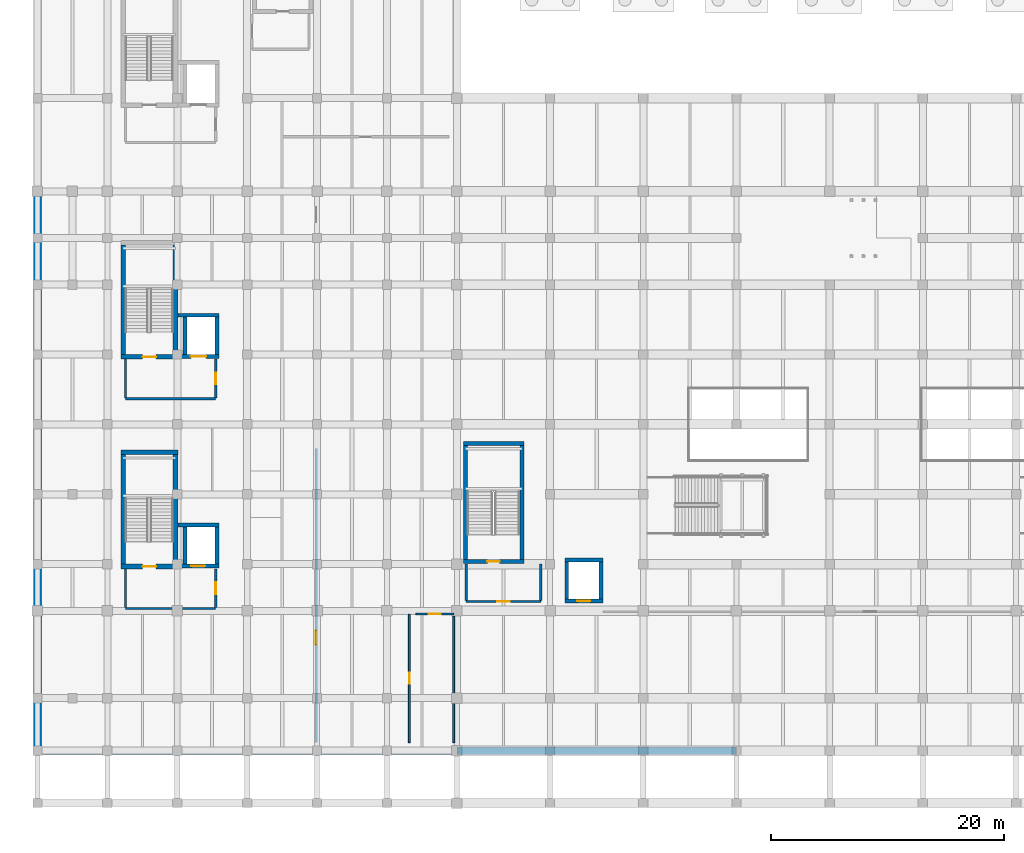
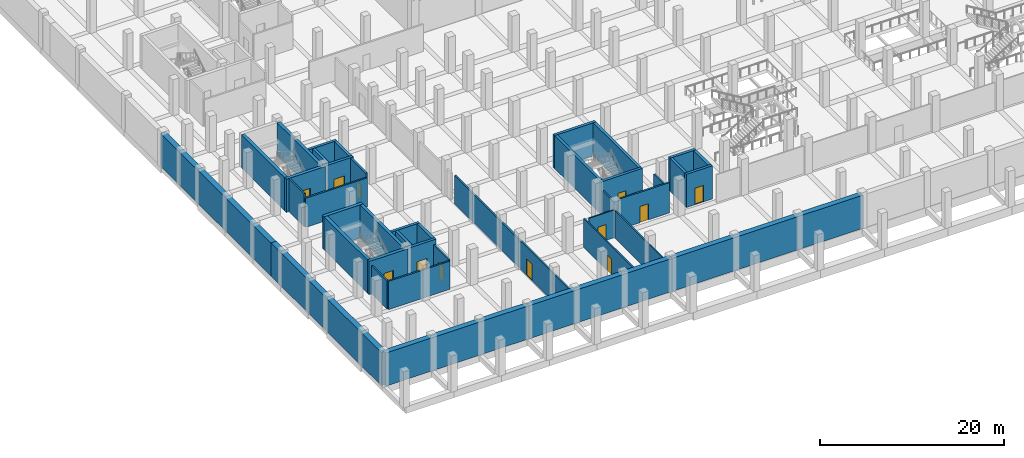
# One storey, part 20 of 36: 41 walls, 12 doors, 12 openings.
"""IFC4 building model written with IfcOpenShell, lengths in metres."""

from ifc_helpers import new_model, si_unit, direction, frame, frame_2d, origin, place, context, subcontext, project, spatial, rectangle, extrude, material, layer, layer_set, type_object, element, fill, save


model = new_model("IFC4")

# Units and contexts
model_context = context("Model", 3, precision=1e-05, world=origin(), true_north=direction((0.0, 1.0)))
body_context = subcontext(model_context, "Body", "Model", "MODEL_VIEW")
ifc_project = project(units=[si_unit("LENGTHUNIT", "METRE"), si_unit("AREAUNIT", "SQUARE_METRE"), si_unit("VOLUMEUNIT", "CUBIC_METRE"), si_unit("PLANEANGLEUNIT", "RADIAN"), si_unit("MASSUNIT", "GRAM", prefix="KILO")], contexts=[model_context])

# Site, building, storey
site_placement = place(None, origin())
site = spatial("IfcSite", under=ifc_project, at=site_placement, CompositionType="ELEMENT")
building_placement = place(site_placement, origin())
building = spatial("IfcBuilding", under=site, at=building_placement, Name="Verrall Gate Interchange", CompositionType="ELEMENT")
storey_placement = place(building_placement, frame((0.0, 0.0, -4.800048828125)))
storey = spatial("IfcBuildingStorey", under=building, at=storey_placement, Name="B1", CompositionType="ELEMENT", Elevation=-4.800048828125)

# Walls
ifc_material_1 = material(Name="Fire-Rated Type X Gypsum Stud Partition Assembly (60 min)", Category="gypsum")
ifc_layer_1 = layer(ifc_material_1, 0.199951171875)
ifc_layer_set_1 = layer_set([ifc_layer_1], Name="Fire-Rated Type X Gypsum Stud Partition Assembly (60 min)")
wall_type_1 = type_object("IfcWallType", Name="IW-01 Interior Partition Wall 200", PredefinedType="PARTITIONING", material=ifc_layer_set_1)
wall_1_placement = place(storey_placement, frame((7.550048828125, 12.199951171875, 0.0), z_axis=(0.0, 0.0, 1.0), x_axis=(1.0, 0.0, 0.0)))
element("IfcWall", 1, at=wall_1_placement, inside=storey, type_object=wall_type_1, Name="B1 Core C1 Lobby South Rated Wall", PredefinedType="PARTITIONING", context=body_context, shape_type="SweptSolid", body=[
    extrude(rectangle(XDim=7.75, YDim=0.199951171875, at=frame_2d((3.875, 0.0))), origin(), (0.0, 0.0, 1.0), 3.740966796875),
])
wall_2_placement = place(storey_placement, frame((7.550048828125, 15.60009765625, 0.0), z_axis=(0.0, 0.0, 1.0), x_axis=(0.0, -1.0, 0.0)))
element("IfcWall", 2, at=wall_2_placement, inside=storey, type_object=wall_type_1, Name="B1 Core C1 Lobby West Rated Wall", PredefinedType="PARTITIONING", context=body_context, shape_type="SweptSolid", body=[
    extrude(rectangle(XDim=3.320068359375, YDim=0.199951171875, at=frame_2d((1.66015625, 0.0))), origin(), (0.0, 0.0, 1.0), 3.740966796875),
])

# Wall, opening, door
wall_3_placement = place(storey_placement, frame((15.300048828125, 12.280029296875, 0.0), z_axis=(0.0, 0.0, 1.0), x_axis=(0.0, 1.0, 0.0)))
wall_3 = element("IfcWall", 3, at=wall_3_placement, inside=storey, type_object=wall_type_1, Name="B1 Core C1 Lobby East Rated Wall", PredefinedType="PARTITIONING", context=body_context, shape_type="SweptSolid", body=[
    extrude(rectangle(XDim=3.320068359375, YDim=0.199951171875, at=frame_2d((1.66015625, 0.0))), origin(), (0.0, 0.0, 1.0), 3.817138671875),
])
opening_1_placement = place(wall_3_placement, frame((1.159912109375, 0.0, 0.0)))
opening_1 = element("IfcOpeningElement", 4, at=opening_1_placement, cuts=wall_3, Name="Opening LBD011", PredefinedType="OPENING", context=body_context, shape_type="SweptSolid", body=[
    extrude(rectangle(XDim=1.0, YDim=2.14990234375, at=frame_2d((0.5, 1.074951171875))), frame((0.0, 0.11474609375, 0.0), z_axis=(0.0, -1.0, 0.0), x_axis=(1.0, 0.0, 0.0)), (0.0, 0.0, 1.0), 0.229736328125),
])
ifc_material_2 = material(Name="Hollow-Metal Fire-Rated Door Assembly", Category="metal")
door_type_1 = type_object("IfcDoorType", Name="ID-05 Interior Swing Door 1000x2150", OperationType="NOTDEFINED", PredefinedType="DOOR", material=ifc_material_2)
door_1_placement = place(opening_1_placement, origin())
door_1 = element("IfcDoor", 5, at=door_1_placement, inside=storey, type_object=door_type_1, Name="B1 Core C1 Lobby Fire Door LBD011", OperationType="SINGLE_SWING_LEFT", OverallHeight=2.14990234375, OverallWidth=1.0, PredefinedType="DOOR", context=body_context, shape_type="SweptSolid", body=[
    extrude(rectangle(XDim=1.0, YDim=2.14990234375, at=frame_2d((0.5, 1.074951171875))), frame((0.0, 0.02490234375, 0.0), z_axis=(0.0, -1.0, 0.0), x_axis=(1.0, 0.0, 0.0)), (0.0, 0.0, 1.0), 0.050048828125),
])
fill(opening_1, door_1)

# Walls
wall_4_placement = place(storey_placement, frame((7.550048828125, 30.199951171875, 0.0), z_axis=(0.0, 0.0, 1.0), x_axis=(1.0, 0.0, 0.0)))
element("IfcWall", 6, at=wall_4_placement, inside=storey, type_object=wall_type_1, Name="B1 Core C2 Lobby South Rated Wall", PredefinedType="PARTITIONING", context=body_context, shape_type="SweptSolid", body=[
    extrude(rectangle(XDim=7.75, YDim=0.199951171875, at=frame_2d((3.875, 0.0))), origin(), (0.0, 0.0, 1.0), 3.8701171875),
])
wall_5_placement = place(storey_placement, frame((7.550048828125, 33.60009765625, 0.0), z_axis=(0.0, 0.0, 1.0), x_axis=(0.0, -1.0, 0.0)))
element("IfcWall", 7, at=wall_5_placement, inside=storey, type_object=wall_type_1, Name="B1 Core C2 Lobby West Rated Wall", PredefinedType="PARTITIONING", context=body_context, shape_type="SweptSolid", body=[
    extrude(rectangle(XDim=3.320068359375, YDim=0.199951171875, at=frame_2d((1.66015625, 0.0))), origin(), (0.0, 0.0, 1.0), 4.400146484375),
])

# Wall, opening, door
wall_6_placement = place(storey_placement, frame((15.300048828125, 30.280029296875, 0.0), z_axis=(0.0, 0.0, 1.0), x_axis=(0.0, 1.0, 0.0)))
wall_6 = element("IfcWall", 8, at=wall_6_placement, inside=storey, type_object=wall_type_1, Name="B1 Core C2 Lobby East Rated Wall", PredefinedType="PARTITIONING", context=body_context, shape_type="SweptSolid", body=[
    extrude(rectangle(XDim=3.320068359375, YDim=0.199951171875, at=frame_2d((1.66015625, 0.0))), origin(), (0.0, 0.0, 1.0), 4.400146484375),
])
opening_2_placement = place(wall_6_placement, frame((1.159912109375, 0.0, 0.0)))
opening_2 = element("IfcOpeningElement", 9, at=opening_2_placement, cuts=wall_6, Name="Opening LBD029", PredefinedType="OPENING", context=body_context, shape_type="SweptSolid", body=[
    extrude(rectangle(XDim=1.0, YDim=2.14990234375, at=frame_2d((0.5, 1.074951171875))), frame((0.0, 0.11474609375, 0.0), z_axis=(0.0, -1.0, 0.0), x_axis=(1.0, 0.0, 0.0)), (0.0, 0.0, 1.0), 0.229736328125),
])
door_2_placement = place(opening_2_placement, origin())
door_2 = element("IfcDoor", 10, at=door_2_placement, inside=storey, type_object=door_type_1, Name="B1 Core C2 Lobby Fire Door LBD029", OperationType="SINGLE_SWING_LEFT", OverallHeight=2.14990234375, OverallWidth=1.0, PredefinedType="DOOR", context=body_context, shape_type="SweptSolid", body=[
    extrude(rectangle(XDim=1.0, YDim=2.14990234375, at=frame_2d((0.5, 1.074951171875))), frame((0.0, 0.02490234375, 0.0), z_axis=(0.0, -1.0, 0.0), x_axis=(1.0, 0.0, 0.0)), (0.0, 0.0, 1.0), 0.050048828125),
])
fill(opening_2, door_2)

wall_7_placement = place(storey_placement, frame((36.800048828125, 12.800048828125, 0.0), z_axis=(0.0, 0.0, 1.0), x_axis=(1.0, 0.0, 0.0)))
wall_7 = element("IfcWall", 11, at=wall_7_placement, inside=storey, type_object=wall_type_1, Name="B1 Core C5 Lobby South Rated Wall", PredefinedType="PARTITIONING", context=body_context, shape_type="SweptSolid", body=[
    extrude(rectangle(XDim=6.39990234375, YDim=0.199951171875, at=frame_2d((3.199951171875, 0.0))), origin(), (0.0, 0.0, 1.0), 4.032958984375),
])
opening_3_placement = place(wall_7_placement, frame((2.64990234375, 0.0, 0.0)))
opening_3 = element("IfcOpeningElement", 12, at=opening_3_placement, cuts=wall_7, Name="Opening LBD068", PredefinedType="OPENING", context=body_context, shape_type="SweptSolid", body=[
    extrude(rectangle(XDim=1.10009765625, YDim=2.14990234375, at=frame_2d((0.550048828125, 1.074951171875))), frame((0.0, 0.11474609375, 0.0), z_axis=(0.0, -1.0, 0.0), x_axis=(1.0, 0.0, 0.0)), (0.0, 0.0, 1.0), 0.229736328125),
])
ifc_material_3 = material(Name="Hollow-Metal Fire-Rated Door Assembly", Category="metal")
door_type_2 = type_object("IfcDoorType", Name="ID-06 Interior Swing Door 1100x2150", OperationType="NOTDEFINED", PredefinedType="DOOR", material=ifc_material_3)
door_3_placement = place(opening_3_placement, origin())
door_3 = element("IfcDoor", 13, at=door_3_placement, inside=storey, type_object=door_type_2, Name="B1 Core C5 Lobby Fire Door LBD068", OperationType="SINGLE_SWING_RIGHT", OverallHeight=2.14990234375, OverallWidth=1.10009765625, PredefinedType="DOOR", context=body_context, shape_type="SweptSolid", body=[
    extrude(rectangle(XDim=1.10009765625, YDim=2.14990234375, at=frame_2d((0.550048828125, 1.074951171875))), frame((0.0, 0.02490234375, 0.0), z_axis=(0.0, -1.0, 0.0), x_axis=(1.0, 0.0, 0.0)), (0.0, 0.0, 1.0), 0.050048828125),
])
fill(opening_3, door_3)

# Walls
for number, where, z_axis, x_axis, name in (
    (14, (36.800048828125, 16.0, 0.0), (0.0, 0.0, 1.0), (0.0, -1.0, 0.0), "B1 Core C5 Lobby West Rated Wall"),
    (15, (43.199951171875, 12.8798828125, 0.0), (0.0, 0.0, 1.0), (0.0, 1.0, 0.0), "B1 Core C5 Lobby East Rated Wall"),
):
    element("IfcWall", number, at=place(storey_placement, frame(where, z_axis=z_axis, x_axis=x_axis)), inside=storey, type_object=wall_type_1, Name=name, PredefinedType="PARTITIONING", context=body_context, shape_type="SweptSolid", body=[
        extrude(rectangle(XDim=3.1201171875, YDim=0.199951171875, at=frame_2d((1.56005859375, 0.0))), origin(), (0.0, 0.0, 1.0), 3.179931640625),
    ])

# Wall, opening, door
wall_8_placement = place(storey_placement, frame((23.919921875, 25.919921875, 0.0), z_axis=(0.0, 0.0, 1.0), x_axis=(0.0, -1.0, 0.0)))
wall_8 = element("IfcWall", 16, at=wall_8_placement, inside=storey, type_object=wall_type_1, Name="B1 Metro Traction Power Substation Partition 011", PredefinedType="PARTITIONING", context=body_context, shape_type="SweptSolid", body=[
    extrude(rectangle(XDim=25.239990234375, YDim=0.199951171875, at=frame_2d((12.6201171875, 0.0))), origin(), (0.0, 0.0, 1.0), 3.740966796875),
])
opening_4_placement = place(wall_8_placement, frame((15.613037109375, 0.0, 0.0)))
opening_4 = element("IfcOpeningElement", 17, at=opening_4_placement, cuts=wall_8, Name="Opening D011", PredefinedType="OPENING", context=body_context, shape_type="SweptSolid", body=[
    extrude(rectangle(XDim=1.219970703125, YDim=2.199951171875, at=frame_2d((0.60986328125, 1.10009765625))), frame((0.0, 0.11474609375, 0.0), z_axis=(0.0, -1.0, 0.0), x_axis=(1.0, 0.0, 0.0)), (0.0, 0.0, 1.0), 0.229736328125),
])
ifc_material_4 = material(Name="Hollow-Metal Fire-Rated Door Assembly", Category="metal")
door_type_3 = type_object("IfcDoorType", Name="ID-07 Interior Swing Door 1220x2200", OperationType="NOTDEFINED", PredefinedType="DOOR", material=ifc_material_4)
door_4_placement = place(opening_4_placement, origin())
door_4 = element("IfcDoor", 18, at=door_4_placement, inside=storey, type_object=door_type_3, Name="B1 Metro Traction Power Substation Door D011", OperationType="SINGLE_SWING_RIGHT", OverallHeight=2.199951171875, OverallWidth=1.219970703125, PredefinedType="DOOR", context=body_context, shape_type="SweptSolid", body=[
    extrude(rectangle(XDim=1.219970703125, YDim=2.199951171875, at=frame_2d((0.60986328125, 1.10009765625))), frame((0.0, 0.02490234375, 0.0), z_axis=(0.0, -1.0, 0.0), x_axis=(1.0, 0.0, 0.0)), (0.0, 0.0, 1.0), 0.050048828125),
])
fill(opening_4, door_4)

ifc_material_5 = material(Name="Fire-Rated Type X Gypsum Stud Partition Assembly (60 min)", Category="gypsum")
ifc_layer_2 = layer(ifc_material_5, 0.159912109375)
ifc_layer_set_2 = layer_set([ifc_layer_2], Name="Fire-Rated Type X Gypsum Stud Partition Assembly (60 min)")
wall_type_2 = type_object("IfcWallType", Name="IW-02 Interior Partition Wall 160", PredefinedType="PARTITIONING", material=ifc_layer_set_2)
wall_9_placement = place(storey_placement, frame((31.919921875, 11.719970703125, 0.0), z_axis=(0.0, 0.0, 1.0), x_axis=(0.0, -1.0, 0.0)))
wall_9 = element("IfcWall", 19, at=wall_9_placement, inside=storey, type_object=wall_type_2, Name="B1 Concourse Public Washroom Partition 016", PredefinedType="PARTITIONING", context=body_context, shape_type="SweptSolid", body=[
    extrude(rectangle(XDim=11.0400390625, YDim=0.159912109375, at=frame_2d((5.52001953125, 0.0))), origin(), (0.0, 0.0, 1.0), 3.817138671875),
])
opening_5_placement = place(wall_9_placement, frame((5.0400390625, 0.0, 0.0)))
opening_5 = element("IfcOpeningElement", 20, at=opening_5_placement, cuts=wall_9, Name="Opening D016", PredefinedType="OPENING", context=body_context, shape_type="SweptSolid", body=[
    extrude(rectangle(XDim=0.9599609375, YDim=2.10009765625, at=frame_2d((0.47998046875, 1.050048828125))), frame((0.0, 0.0947265625, 0.0), z_axis=(0.0, -1.0, 0.0), x_axis=(1.0, 0.0, 0.0)), (0.0, 0.0, 1.0), 0.189697265625),
])
ifc_material_6 = material(Name="Architectural Solid-Core Birch Acoustic Door Assembly", Category="wood")
door_type_4 = type_object("IfcDoorType", Name="ID-11 Interior Swing Door 960x2100", OperationType="NOTDEFINED", PredefinedType="DOOR", material=ifc_material_6)
door_5_placement = place(opening_5_placement, origin())
door_5 = element("IfcDoor", 21, at=door_5_placement, inside=storey, type_object=door_type_4, Name="B1 Concourse Public Washroom Door D016", OperationType="SINGLE_SWING_LEFT", OverallHeight=2.10009765625, OverallWidth=0.9599609375, PredefinedType="DOOR", context=body_context, shape_type="SweptSolid", body=[
    extrude(rectangle(XDim=0.9599609375, YDim=2.10009765625, at=frame_2d((0.47998046875, 1.050048828125))), frame((0.0, 0.02490234375, 0.0), z_axis=(0.0, -1.0, 0.0), x_axis=(1.0, 0.0, 0.0)), (0.0, 0.0, 1.0), 0.050048828125),
])
fill(opening_5, door_5)

wall_10_placement = place(storey_placement, frame((32.47998046875, 11.719970703125, 0.0), z_axis=(0.0, 0.0, 1.0), x_axis=(1.0, 0.0, 0.0)))
wall_10 = element("IfcWall", 22, at=wall_10_placement, inside=storey, type_object=wall_type_2, Name="B1 Concourse Accessible Washroom Partition 017", PredefinedType="PARTITIONING", context=body_context, shape_type="SweptSolid", body=[
    extrude(rectangle(XDim=3.239990234375, YDim=0.159912109375, at=frame_2d((1.6201171875, 0.0))), origin(), (0.0, 0.0, 1.0), 3.6689453125),
])
opening_6_placement = place(wall_10_placement, frame((1.110107421875, 0.0, 0.0)))
opening_6 = element("IfcOpeningElement", 23, at=opening_6_placement, cuts=wall_10, Name="Opening D017", PredefinedType="OPENING", context=body_context, shape_type="SweptSolid", body=[
    extrude(rectangle(XDim=1.02001953125, YDim=2.10009765625, at=frame_2d((0.510009765625, 1.050048828125))), frame((0.0, 0.0947265625, 0.0), z_axis=(0.0, -1.0, 0.0), x_axis=(1.0, 0.0, 0.0)), (0.0, 0.0, 1.0), 0.189697265625),
])
ifc_material_7 = material(Name="Architectural Solid-Core Birch Acoustic Door Assembly", Category="wood")
door_type_5 = type_object("IfcDoorType", Name="ID-12 Interior Swing Door 1020x2100", OperationType="NOTDEFINED", PredefinedType="DOOR", material=ifc_material_7)
door_6_placement = place(opening_6_placement, origin())
door_6 = element("IfcDoor", 24, at=door_6_placement, inside=storey, type_object=door_type_5, Name="B1 Concourse Accessible Washroom Door D017", OperationType="SINGLE_SWING_RIGHT", OverallHeight=2.10009765625, OverallWidth=1.02001953125, PredefinedType="DOOR", context=body_context, shape_type="SweptSolid", body=[
    extrude(rectangle(XDim=1.02001953125, YDim=2.10009765625, at=frame_2d((0.510009765625, 1.050048828125))), frame((0.0, 0.02490234375, 0.0), z_axis=(0.0, -1.0, 0.0), x_axis=(1.0, 0.0, 0.0)), (0.0, 0.0, 1.0), 0.050048828125),
])
fill(opening_6, door_6)

# Walls
wall_11_placement = place(storey_placement, frame((35.719970703125, 11.52001953125, 0.0), z_axis=(0.0, 0.0, 1.0), x_axis=(0.0, -1.0, 0.0)))
element("IfcWall", 25, at=wall_11_placement, inside=storey, type_object=wall_type_2, Name="B1 Concourse Accessible Washroom Partition 018", PredefinedType="PARTITIONING", context=body_context, shape_type="SweptSolid", body=[
    extrude(rectangle(XDim=10.840087890625, YDim=0.159912109375, at=frame_2d((5.419921875, 0.0))), origin(), (0.0, 0.0, 1.0), 3.6689453125),
])
ifc_material_8 = material(Name="Concrete CSA A23.1 35 MPa (Class S-2)", Category="concrete")
ifc_layer_3 = layer(ifc_material_8, 0.659912109375)
ifc_layer_set_3 = layer_set([ifc_layer_3], Name="Concrete CSA A23.1 35 MPa (Class S-2)")
wall_type_3 = type_object("IfcWallType", Name="RW-02 Diaphragm Retaining Wall 660", PredefinedType="USERDEFINED", material=ifc_layer_set_3)
for number, where, z_axis, x_axis, name in (
    (26, (0.0, 0.0, 0.0), (0.0, 0.0, 1.0), (1.0, 0.0, 0.0), "B1 Diaphragm Retaining Wall 025"),
    (27, (18.0, 0.0, 0.0), (0.0, 0.0, 1.0), (1.0, 0.0, 0.0), "B1 Diaphragm Retaining Wall 026"),
):
    element("IfcWall", number, at=place(storey_placement, frame(where, z_axis=z_axis, x_axis=x_axis)), inside=storey, type_object=wall_type_3, Name=name, ObjectType="RETAININGWALL", PredefinedType="USERDEFINED", context=body_context, shape_type="SweptSolid", body=[
        extrude(rectangle(XDim=18.0, YDim=0.659912109375, at=frame_2d((9.0, 0.0))), origin(), (0.0, 0.0, 1.0), 4.400146484375),
    ])
for number, where, z_axis, x_axis, name in (
    (28, (36.0, 0.0, 0.0), (0.0, 0.0, 1.0), (1.0, 0.0, 0.0), "B1 Diaphragm Retaining Wall 027"),
    (29, (0.0, 48.0, 0.0), (0.0, 0.0, 1.0), (0.0, -1.0, 0.0), "B1 Diaphragm Retaining Wall 047"),
    (30, (0.0, 24.0, 0.0), (0.0, 0.0, 1.0), (0.0, -1.0, 0.0), "B1 Diaphragm Retaining Wall 048"),
):
    element("IfcWall", number, at=place(storey_placement, frame(where, z_axis=z_axis, x_axis=x_axis)), inside=storey, type_object=wall_type_3, Name=name, ObjectType="RETAININGWALL", PredefinedType="USERDEFINED", context=body_context, shape_type="SweptSolid", body=[
        extrude(rectangle(XDim=24.0, YDim=0.659912109375, at=frame_2d((12.0, 0.0))), origin(), (0.0, 0.0, 1.0), 4.400146484375),
    ])

# Wall, opening, door
ifc_material_9 = material(Name="Concrete CSA A23.1 40 MPa (Class N)", Category="concrete")
ifc_layer_4 = layer(ifc_material_9, 0.39990234375)
ifc_layer_set_4 = layer_set([ifc_layer_4], Name="Concrete CSA A23.1 40 MPa (Class N)")
wall_type_4 = type_object("IfcWallType", Name="SW-01 Core Shear Wall 400", PredefinedType="SHEAR", material=ifc_layer_set_4)
wall_12_placement = place(storey_placement, frame((7.14990234375, 15.800048828125, 0.0), z_axis=(0.0, 0.0, 1.0), x_axis=(1.0, 0.0, 0.0)))
wall_12 = element("IfcWall", 31, at=wall_12_placement, inside=storey, type_object=wall_type_4, Name="B1 Core C1 South Shear Wall", PredefinedType="SHEAR", context=body_context, shape_type="SweptSolid", body=[
    extrude(rectangle(XDim=4.900146484375, YDim=0.39990234375, at=frame_2d((2.4501953125, 0.0))), origin(), (0.0, 0.0, 1.0), 4.400146484375),
])
opening_7_placement = place(wall_12_placement, frame((1.875, 0.0, 0.0)))
opening_7 = element("IfcOpeningElement", 32, at=opening_7_placement, cuts=wall_12, Name="Opening SD002", PredefinedType="OPENING", context=body_context, shape_type="SweptSolid", body=[
    extrude(rectangle(XDim=1.14990234375, YDim=2.14990234375, at=frame_2d((0.574951171875, 1.074951171875))), frame((0.0, 0.21484375, 0.0), z_axis=(0.0, -1.0, 0.0), x_axis=(1.0, 0.0, 0.0)), (0.0, 0.0, 1.0), 0.4296875),
])
ifc_material_10 = material(Name="Hollow-Metal Fire-Rated Door Assembly", Category="metal")
door_type_6 = type_object("IfcDoorType", Name="ID-02 Interior Swing Door 1150x2150", OperationType="NOTDEFINED", PredefinedType="DOOR", material=ifc_material_10)
door_7_placement = place(opening_7_placement, origin())
door_7 = element("IfcDoor", 33, at=door_7_placement, inside=storey, type_object=door_type_6, Name="B1 Stair ST-01 Fire Door SD002", OperationType="SINGLE_SWING_RIGHT", OverallHeight=2.14990234375, OverallWidth=1.14990234375, PredefinedType="DOOR", context=body_context, shape_type="SweptSolid", body=[
    extrude(rectangle(XDim=1.14990234375, YDim=2.14990234375, at=frame_2d((0.574951171875, 1.074951171875))), frame((0.0, 0.02490234375, 0.0), z_axis=(0.0, -1.0, 0.0), x_axis=(1.0, 0.0, 0.0)), (0.0, 0.0, 1.0), 0.050048828125),
])
fill(opening_7, door_7)

# Walls
wall_13_placement = place(storey_placement, frame((12.050048828125, 25.60009765625, 0.0), z_axis=(0.0, 0.0, 1.0), x_axis=(-1.0, 0.0, 0.0)))
element("IfcWall", 34, at=wall_13_placement, inside=storey, type_object=wall_type_4, Name="B1 Core C1 North Shear Wall", PredefinedType="SHEAR", context=body_context, shape_type="SweptSolid", body=[
    extrude(rectangle(XDim=4.900146484375, YDim=0.39990234375, at=frame_2d((2.4501953125, 0.0))), origin(), (0.0, 0.0, 1.0), 4.400146484375),
])
for number, where, z_axis, x_axis, name in (
    (35, (7.35009765625, 25.39990234375, 0.0), (0.0, 0.0, 1.0), (0.0, -1.0, 0.0), "B1 Core C1 West Shear Wall"),
    (36, (11.85009765625, 16.0, 0.0), (0.0, 0.0, 1.0), (0.0, 1.0, 0.0), "B1 Core C1 East Shear Wall"),
):
    element("IfcWall", number, at=place(storey_placement, frame(where, z_axis=z_axis, x_axis=x_axis)), inside=storey, type_object=wall_type_4, Name=name, PredefinedType="SHEAR", context=body_context, shape_type="SweptSolid", body=[
        extrude(rectangle(XDim=9.39990234375, YDim=0.39990234375, at=frame_2d((4.699951171875, 0.0))), origin(), (0.0, 0.0, 1.0), 4.400146484375),
    ])

# Wall, opening, door
wall_14_placement = place(storey_placement, frame((7.14990234375, 33.800048828125, 0.0), z_axis=(0.0, 0.0, 1.0), x_axis=(1.0, 0.0, 0.0)))
wall_14 = element("IfcWall", 37, at=wall_14_placement, inside=storey, type_object=wall_type_4, Name="B1 Core C2 South Shear Wall", PredefinedType="SHEAR", context=body_context, shape_type="SweptSolid", body=[
    extrude(rectangle(XDim=4.900146484375, YDim=0.39990234375, at=frame_2d((2.4501953125, 0.0))), origin(), (0.0, 0.0, 1.0), 4.400146484375),
])
opening_8_placement = place(wall_14_placement, frame((1.875, 0.0, 0.0)))
opening_8 = element("IfcOpeningElement", 38, at=opening_8_placement, cuts=wall_14, Name="Opening SD020", PredefinedType="OPENING", context=body_context, shape_type="SweptSolid", body=[
    extrude(rectangle(XDim=1.14990234375, YDim=2.14990234375, at=frame_2d((0.574951171875, 1.074951171875))), frame((0.0, 0.21484375, 0.0), z_axis=(0.0, -1.0, 0.0), x_axis=(1.0, 0.0, 0.0)), (0.0, 0.0, 1.0), 0.4296875),
])
door_8_placement = place(opening_8_placement, origin())
door_8 = element("IfcDoor", 39, at=door_8_placement, inside=storey, type_object=door_type_6, Name="B1 Stair ST-02 Fire Door SD020", OperationType="SINGLE_SWING_RIGHT", OverallHeight=2.14990234375, OverallWidth=1.14990234375, PredefinedType="DOOR", context=body_context, shape_type="SweptSolid", body=[
    extrude(rectangle(XDim=1.14990234375, YDim=2.14990234375, at=frame_2d((0.574951171875, 1.074951171875))), frame((0.0, 0.02490234375, 0.0), z_axis=(0.0, -1.0, 0.0), x_axis=(1.0, 0.0, 0.0)), (0.0, 0.0, 1.0), 0.050048828125),
])
fill(opening_8, door_8)

# Walls
for number, where, z_axis, x_axis, name in (
    (40, (7.35009765625, 43.39990234375, 0.0), (0.0, 0.0, 1.0), (0.0, -1.0, 0.0), "B1 Core C2 West Shear Wall"),
    (41, (11.85009765625, 34.0, 0.0), (0.0, 0.0, 1.0), (0.0, 1.0, 0.0), "B1 Core C2 East Shear Wall"),
):
    element("IfcWall", number, at=place(storey_placement, frame(where, z_axis=z_axis, x_axis=x_axis)), inside=storey, type_object=wall_type_4, Name=name, PredefinedType="SHEAR", context=body_context, shape_type="SweptSolid", body=[
        extrude(rectangle(XDim=9.39990234375, YDim=0.39990234375, at=frame_2d((4.699951171875, 0.0))), origin(), (0.0, 0.0, 1.0), 4.400146484375),
    ])

# Wall, opening, door
ifc_material_11 = material(Name="Concrete CSA A23.1 40 MPa (Class N)", Category="concrete")
ifc_layer_5 = layer(ifc_material_11, 0.340087890625)
ifc_layer_set_5 = layer_set([ifc_layer_5], Name="Concrete CSA A23.1 40 MPa (Class N)")
wall_type_5 = type_object("IfcWallType", Name="SW-02 Core Shear Wall 340", PredefinedType="SHEAR", material=ifc_layer_set_5)
wall_15_placement = place(storey_placement, frame((12.050048828125, 15.830078125, 0.0), z_axis=(0.0, 0.0, 1.0), x_axis=(1.0, 0.0, 0.0)))
wall_15 = element("IfcWall", 42, at=wall_15_placement, inside=storey, type_object=wall_type_5, Name="B1 Elevator EL-01 South Shaft Wall", PredefinedType="SHEAR", context=body_context, shape_type="SweptSolid", body=[
    extrude(rectangle(XDim=3.5400390625, YDim=0.340087890625, at=frame_2d((1.77001953125, 0.0))), origin(), (0.0, 0.0, 1.0), 4.400146484375),
])
opening_9_placement = place(wall_15_placement, frame((1.169921875, 0.0, 0.0)))
opening_9 = element("IfcOpeningElement", 43, at=opening_9_placement, cuts=wall_15, Name="Opening LD-01-B1", PredefinedType="OPENING", context=body_context, shape_type="SweptSolid", body=[
    extrude(rectangle(XDim=1.199951171875, YDim=2.199951171875, at=frame_2d((0.60009765625, 1.10009765625))), frame((0.0, 0.18505859375, 0.0), z_axis=(0.0, -1.0, 0.0), x_axis=(1.0, 0.0, 0.0)), (0.0, 0.0, 1.0), 0.369873046875),
])
ifc_material_12 = material(Name="Stainless-Steel Elevator Landing Sliding Door Assembly", Category="steel")
door_type_7 = type_object("IfcDoorType", Name="LD-02 Elevator Sliding Landing Door 1200x2200", OperationType="NOTDEFINED", PredefinedType="DOOR", material=ifc_material_12)
door_9_placement = place(opening_9_placement, origin())
door_9 = element("IfcDoor", 44, at=door_9_placement, inside=storey, type_object=door_type_7, Name="B1 Elevator EL-01 Sliding Landing Door", OperationType="DOUBLE_DOOR_SLIDING", OverallHeight=2.199951171875, OverallWidth=1.199951171875, PredefinedType="DOOR", context=body_context, shape_type="SweptSolid", body=[
    extrude(rectangle(XDim=1.199951171875, YDim=2.199951171875, at=frame_2d((0.60009765625, 1.10009765625))), frame((0.0, 0.02490234375, 0.0), z_axis=(0.0, -1.0, 0.0), x_axis=(1.0, 0.0, 0.0)), (0.0, 0.0, 1.0), 0.050048828125),
])
fill(opening_9, door_9)

# Walls
wall_16_placement = place(storey_placement, frame((15.590087890625, 19.3701171875, 0.0), z_axis=(0.0, 0.0, 1.0), x_axis=(-1.0, 0.0, 0.0)))
element("IfcWall", 45, at=wall_16_placement, inside=storey, type_object=wall_type_5, Name="B1 Elevator EL-01 North Shaft Wall", PredefinedType="SHEAR", context=body_context, shape_type="SweptSolid", body=[
    extrude(rectangle(XDim=3.5400390625, YDim=0.340087890625, at=frame_2d((1.77001953125, 0.0))), origin(), (0.0, 0.0, 1.0), 4.400146484375),
])
for number, where, z_axis, x_axis, name in (
    (46, (12.679931640625, 19.199951171875, 0.0), (0.0, 0.0, 1.0), (0.0, -1.0, 0.0), "B1 Elevator EL-01 West Shaft Wall"),
    (47, (15.419921875, 16.0, 0.0), (0.0, 0.0, 1.0), (0.0, 1.0, 0.0), "B1 Elevator EL-01 East Shaft Wall"),
):
    element("IfcWall", number, at=place(storey_placement, frame(where, z_axis=z_axis, x_axis=x_axis)), inside=storey, type_object=wall_type_5, Name=name, PredefinedType="SHEAR", context=body_context, shape_type="SweptSolid", body=[
        extrude(rectangle(XDim=3.199951171875, YDim=0.340087890625, at=frame_2d((1.60009765625, 0.0))), origin(), (0.0, 0.0, 1.0), 4.400146484375),
    ])

# Wall, opening, door
wall_17_placement = place(storey_placement, frame((12.050048828125, 33.830078125, 0.0), z_axis=(0.0, 0.0, 1.0), x_axis=(1.0, 0.0, 0.0)))
wall_17 = element("IfcWall", 48, at=wall_17_placement, inside=storey, type_object=wall_type_5, Name="B1 Elevator EL-02 South Shaft Wall", PredefinedType="SHEAR", context=body_context, shape_type="SweptSolid", body=[
    extrude(rectangle(XDim=3.5400390625, YDim=0.340087890625, at=frame_2d((1.77001953125, 0.0))), origin(), (0.0, 0.0, 1.0), 4.400146484375),
])
opening_10_placement = place(wall_17_placement, frame((1.1201171875, 0.0, 0.0)))
opening_10 = element("IfcOpeningElement", 49, at=opening_10_placement, cuts=wall_17, Name="Opening LD-02-B1", PredefinedType="OPENING", context=body_context, shape_type="SweptSolid", body=[
    extrude(rectangle(XDim=1.300048828125, YDim=2.25, at=frame_2d((0.64990234375, 1.125))), frame((0.0, 0.18505859375, 0.0), z_axis=(0.0, -1.0, 0.0), x_axis=(1.0, 0.0, 0.0)), (0.0, 0.0, 1.0), 0.369873046875),
])
ifc_material_13 = material(Name="Stainless-Steel Elevator Landing Sliding Door Assembly", Category="steel")
door_type_8 = type_object("IfcDoorType", Name="LD-03 Elevator Sliding Landing Door 1300x2250", OperationType="NOTDEFINED", PredefinedType="DOOR", material=ifc_material_13)
door_10_placement = place(opening_10_placement, origin())
door_10 = element("IfcDoor", 50, at=door_10_placement, inside=storey, type_object=door_type_8, Name="B1 Elevator EL-02 Sliding Landing Door", OperationType="DOUBLE_DOOR_SLIDING", OverallHeight=2.25, OverallWidth=1.300048828125, PredefinedType="DOOR", context=body_context, shape_type="SweptSolid", body=[
    extrude(rectangle(XDim=1.300048828125, YDim=2.25, at=frame_2d((0.64990234375, 1.125))), frame((0.0, 0.02490234375, 0.0), z_axis=(0.0, -1.0, 0.0), x_axis=(1.0, 0.0, 0.0)), (0.0, 0.0, 1.0), 0.050048828125),
])
fill(opening_10, door_10)

# Walls
wall_18_placement = place(storey_placement, frame((15.590087890625, 37.3701171875, 0.0), z_axis=(0.0, 0.0, 1.0), x_axis=(-1.0, 0.0, 0.0)))
element("IfcWall", 51, at=wall_18_placement, inside=storey, type_object=wall_type_5, Name="B1 Elevator EL-02 North Shaft Wall", PredefinedType="SHEAR", context=body_context, shape_type="SweptSolid", body=[
    extrude(rectangle(XDim=3.5400390625, YDim=0.340087890625, at=frame_2d((1.77001953125, 0.0))), origin(), (0.0, 0.0, 1.0), 4.400146484375),
])
for number, where, z_axis, x_axis, name in (
    (52, (12.679931640625, 37.199951171875, 0.0), (0.0, 0.0, 1.0), (0.0, -1.0, 0.0), "B1 Elevator EL-02 West Shaft Wall"),
    (53, (15.419921875, 34.0, 0.0), (0.0, 0.0, 1.0), (0.0, 1.0, 0.0), "B1 Elevator EL-02 East Shaft Wall"),
):
    element("IfcWall", number, at=place(storey_placement, frame(where, z_axis=z_axis, x_axis=x_axis)), inside=storey, type_object=wall_type_5, Name=name, PredefinedType="SHEAR", context=body_context, shape_type="SweptSolid", body=[
        extrude(rectangle(XDim=3.199951171875, YDim=0.340087890625, at=frame_2d((1.60009765625, 0.0))), origin(), (0.0, 0.0, 1.0), 4.400146484375),
    ])

# Wall, opening, door
wall_19_placement = place(storey_placement, frame((36.56005859375, 16.22998046875, 0.0), z_axis=(0.0, 0.0, 1.0), x_axis=(1.0, 0.0, 0.0)))
wall_19 = element("IfcWall", 54, at=wall_19_placement, inside=storey, type_object=wall_type_5, Name="B1 Core C5 South Shear Wall", PredefinedType="SHEAR", context=body_context, shape_type="SweptSolid", body=[
    extrude(rectangle(XDim=5.179931640625, YDim=0.340087890625, at=frame_2d((2.58984375, 0.0))), origin(), (0.0, 0.0, 1.0), 4.400146484375),
])
opening_11_placement = place(wall_19_placement, frame((2.06494140625, 0.0, 0.0)))
opening_11 = element("IfcOpeningElement", 55, at=opening_11_placement, cuts=wall_19, Name="Opening SD064", PredefinedType="OPENING", context=body_context, shape_type="SweptSolid", body=[
    extrude(rectangle(XDim=1.050048828125, YDim=2.14990234375, at=frame_2d((0.52490234375, 1.074951171875))), frame((0.0, 0.18505859375, 0.0), z_axis=(0.0, -1.0, 0.0), x_axis=(1.0, 0.0, 0.0)), (0.0, 0.0, 1.0), 0.369873046875),
])
ifc_material_14 = material(Name="Hollow-Metal Fire-Rated Door Assembly", Category="metal")
door_type_9 = type_object("IfcDoorType", Name="ID-01 Interior Swing Door 1050x2150", OperationType="NOTDEFINED", PredefinedType="DOOR", material=ifc_material_14)
door_11_placement = place(opening_11_placement, origin())
door_11 = element("IfcDoor", 56, at=door_11_placement, inside=storey, type_object=door_type_9, Name="B1 Stair ST-05 Fire Door SD064", OperationType="SINGLE_SWING_RIGHT", OverallHeight=2.14990234375, OverallWidth=1.050048828125, PredefinedType="DOOR", context=body_context, shape_type="SweptSolid", body=[
    extrude(rectangle(XDim=1.050048828125, YDim=2.14990234375, at=frame_2d((0.52490234375, 1.074951171875))), frame((0.0, 0.02490234375, 0.0), z_axis=(0.0, -1.0, 0.0), x_axis=(1.0, 0.0, 0.0)), (0.0, 0.0, 1.0), 0.050048828125),
])
fill(opening_11, door_11)

# Walls
wall_20_placement = place(storey_placement, frame((41.739990234375, 26.3701171875, 0.0), z_axis=(0.0, 0.0, 1.0), x_axis=(-1.0, 0.0, 0.0)))
element("IfcWall", 57, at=wall_20_placement, inside=storey, type_object=wall_type_5, Name="B1 Core C5 North Shear Wall", PredefinedType="SHEAR", context=body_context, shape_type="SweptSolid", body=[
    extrude(rectangle(XDim=5.179931640625, YDim=0.340087890625, at=frame_2d((2.58984375, 0.0))), origin(), (0.0, 0.0, 1.0), 4.400146484375),
])
for number, where, z_axis, x_axis, name in (
    (58, (36.72998046875, 26.199951171875, 0.0), (0.0, 0.0, 1.0), (0.0, -1.0, 0.0), "B1 Core C5 West Shear Wall"),
    (59, (41.570068359375, 16.39990234375, 0.0), (0.0, 0.0, 1.0), (0.0, 1.0, 0.0), "B1 Core C5 East Shear Wall"),
):
    element("IfcWall", number, at=place(storey_placement, frame(where, z_axis=z_axis, x_axis=x_axis)), inside=storey, type_object=wall_type_5, Name=name, PredefinedType="SHEAR", context=body_context, shape_type="SweptSolid", body=[
        extrude(rectangle(XDim=9.800048828125, YDim=0.340087890625, at=frame_2d((4.89990234375, 0.0))), origin(), (0.0, 0.0, 1.0), 4.400146484375),
    ])

# Wall, opening, door
wall_21_placement = place(storey_placement, frame((45.260009765625, 12.830078125, 0.0), z_axis=(0.0, 0.0, 1.0), x_axis=(1.0, 0.0, 0.0)))
wall_21 = element("IfcWall", 60, at=wall_21_placement, inside=storey, type_object=wall_type_5, Name="B1 Elevator EL-03 South Shaft Wall", PredefinedType="SHEAR", context=body_context, shape_type="SweptSolid", body=[
    extrude(rectangle(XDim=3.280029296875, YDim=0.340087890625, at=frame_2d((1.64013671875, 0.0))), origin(), (0.0, 0.0, 1.0), 4.400146484375),
])
opening_12_placement = place(wall_21_placement, frame((1.090087890625, 0.0, 0.0)))
opening_12 = element("IfcOpeningElement", 61, at=opening_12_placement, cuts=wall_21, Name="Opening LD-03-B1", PredefinedType="OPENING", context=body_context, shape_type="SweptSolid", body=[
    extrude(rectangle(XDim=1.10009765625, YDim=2.199951171875, at=frame_2d((0.550048828125, 1.10009765625))), frame((0.0, 0.18505859375, 0.0), z_axis=(0.0, -1.0, 0.0), x_axis=(1.0, 0.0, 0.0)), (0.0, 0.0, 1.0), 0.369873046875),
])
ifc_material_15 = material(Name="Stainless-Steel Elevator Landing Sliding Door Assembly", Category="steel")
door_type_10 = type_object("IfcDoorType", Name="LD-01 Elevator Sliding Landing Door 1100x2200", OperationType="NOTDEFINED", PredefinedType="DOOR", material=ifc_material_15)
door_12_placement = place(opening_12_placement, origin())
door_12 = element("IfcDoor", 62, at=door_12_placement, inside=storey, type_object=door_type_10, Name="B1 Elevator EL-03 Sliding Landing Door", OperationType="DOUBLE_DOOR_SLIDING", OverallHeight=2.199951171875, OverallWidth=1.10009765625, PredefinedType="DOOR", context=body_context, shape_type="SweptSolid", body=[
    extrude(rectangle(XDim=1.10009765625, YDim=2.199951171875, at=frame_2d((0.550048828125, 1.10009765625))), frame((0.0, 0.02490234375, 0.0), z_axis=(0.0, -1.0, 0.0), x_axis=(1.0, 0.0, 0.0)), (0.0, 0.0, 1.0), 0.050048828125),
])
fill(opening_12, door_12)

# Walls
wall_22_placement = place(storey_placement, frame((48.5400390625, 16.3701171875, 0.0), z_axis=(0.0, 0.0, 1.0), x_axis=(-1.0, 0.0, 0.0)))
element("IfcWall", 63, at=wall_22_placement, inside=storey, type_object=wall_type_5, Name="B1 Elevator EL-03 North Shaft Wall", PredefinedType="SHEAR", context=body_context, shape_type="SweptSolid", body=[
    extrude(rectangle(XDim=3.280029296875, YDim=0.340087890625, at=frame_2d((1.64013671875, 0.0))), origin(), (0.0, 0.0, 1.0), 4.400146484375),
])
for number, where, z_axis, x_axis, name in (
    (64, (45.429931640625, 16.199951171875, 0.0), (0.0, 0.0, 1.0), (0.0, -1.0, 0.0), "B1 Elevator EL-03 West Shaft Wall"),
    (65, (48.3701171875, 13.0, 0.0), (0.0, 0.0, 1.0), (0.0, 1.0, 0.0), "B1 Elevator EL-03 East Shaft Wall"),
):
    element("IfcWall", number, at=place(storey_placement, frame(where, z_axis=z_axis, x_axis=x_axis)), inside=storey, type_object=wall_type_5, Name=name, PredefinedType="SHEAR", context=body_context, shape_type="SweptSolid", body=[
        extrude(rectangle(XDim=3.199951171875, YDim=0.340087890625, at=frame_2d((1.60009765625, 0.0))), origin(), (0.0, 0.0, 1.0), 4.400146484375),
    ])

save(model, "model.ifc")
